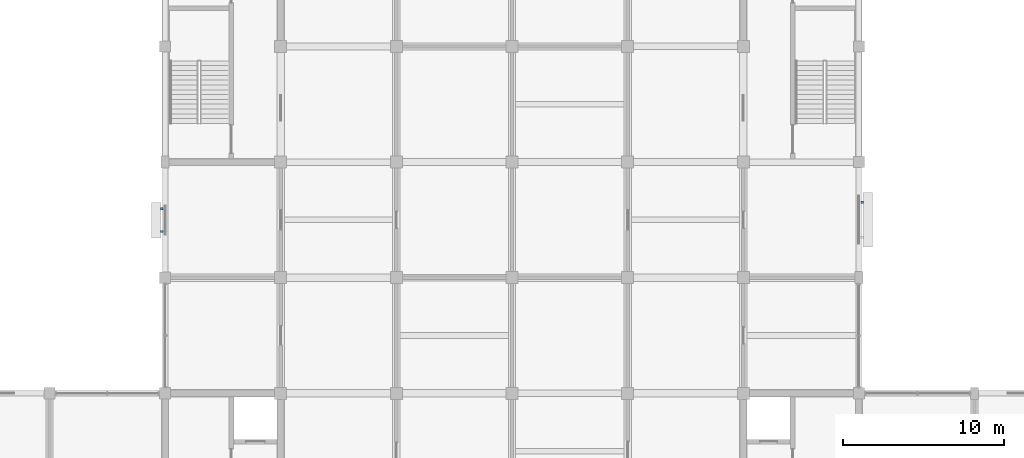
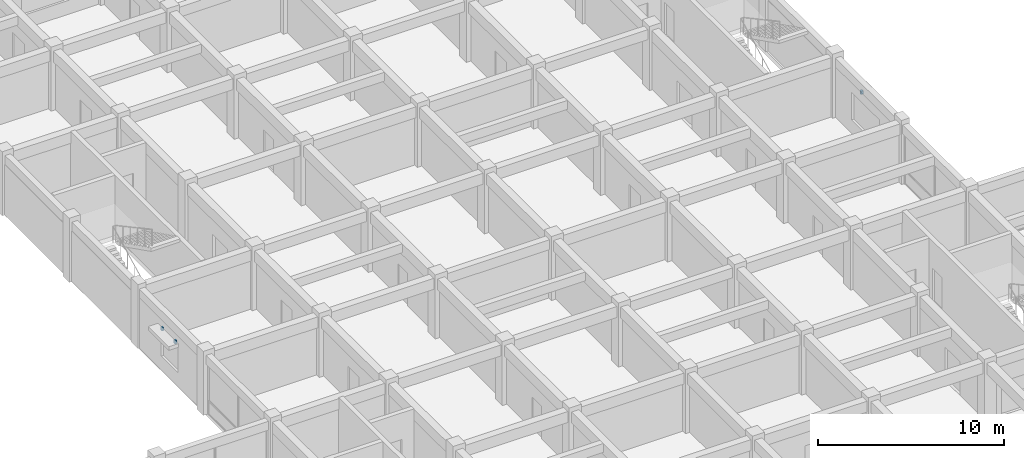
# One storey, part 28 of 31: 3 discrete accessories.
"""IFC4 building model written with IfcOpenShell, lengths in metres."""

import ifcopenshell
import ifcopenshell.guid

model = None  # the IFC model being written
_history = None  # IfcOwnerHistory: only IFC2X3 demands one
_inside = {}  # id of a spatial element -> (the spatial element, [elements in it])
_under = {}  # id of a project, library or spatial element -> (it, [spatial elements below it])
_declared = {}  # id of a project -> (the project, [libraries it declares])
_typed = {}  # id of a type object -> (the type object, [elements of that type])
_made_of = {}  # id of a material, layer set ... -> (it, [elements and type objects made of it])


def new_model(schema):
    """Start an empty IFC model of exactly this schema.

    Asked for "IFC4X3", IfcOpenShell would pick the latest addendum, in which some entities
    have other attributes; the version numbers below select the first issue.
    IFC2X3 requires an IfcOwnerHistory on every rooted entity: one is made here for all.
    """
    global model, _history
    if schema == "IFC4X3":
        model = ifcopenshell.file(schema_version=(4, 3, 0, 0))
    else:
        model = ifcopenshell.file(schema=schema)
    _inside.clear()
    _under.clear()
    _declared.clear()
    _typed.clear()
    _made_of.clear()
    _history = None
    if model.schema == "IFC2X3":
        org = make("IfcOrganization", Name="unknown")
        user = make(
            "IfcPersonAndOrganization",
            ThePerson=make("IfcPerson", FamilyName="unknown"),
            TheOrganization=org,
        )
        app = make(
            "IfcApplication",
            ApplicationDeveloper=org,
            Version="unknown",
            ApplicationFullName="unknown",
            ApplicationIdentifier="unknown",
        )
        _history = make(
            "IfcOwnerHistory",
            OwningUser=user,
            OwningApplication=app,
            ChangeAction="ADDED",
            CreationDate=0,
        )
    return model


def make(cls, **values):
    """One entity of the class cls with the attributes given. An attribute that is None is left unset."""
    return model.create_entity(
        cls, **{name: value for name, value in values.items() if value is not None}
    )


def rooted(cls, **values):
    """An entity with a GlobalId (a new one), such as an element, a storey or a relation."""
    return make(cls, GlobalId=ifcopenshell.guid.new(), OwnerHistory=_history, **values)


def si_unit(unit_type, name, prefix=None):
    """IfcSIUnit, for example si_unit("LENGTHUNIT", "METRE", prefix="MILLI")."""
    return make("IfcSIUnit", UnitType=unit_type, Prefix=prefix, Name=name)


def assignment(units):
    """IfcUnitAssignment: the units of a project."""
    return None if units is None else make("IfcUnitAssignment", Units=units)


def point(xyz):
    """IfcCartesianPoint."""
    return None if xyz is None else make("IfcCartesianPoint", Coordinates=xyz)


def direction(xyz):
    """IfcDirection."""
    return None if xyz is None else make("IfcDirection", DirectionRatios=xyz)


def frame(location, z_axis=None, x_axis=None):
    """IfcAxis2Placement3D, a coordinate frame: its origin and axes. An axis left out is left unset."""
    return make(
        "IfcAxis2Placement3D",
        Location=point(location),
        Axis=direction(z_axis),
        RefDirection=direction(x_axis),
    )


def frame_2d(location, x_axis=None):
    """IfcAxis2Placement2D, a coordinate frame in the plane: its origin and x axis."""
    return make(
        "IfcAxis2Placement2D", Location=point(location), RefDirection=direction(x_axis)
    )


def origin():
    """The frame at (0, 0, 0) with its axes left unset."""
    return frame((0.0, 0.0, 0.0))


def origin_2d():
    """The frame at (0, 0) in the plane with its x axis left unset."""
    return frame_2d((0.0, 0.0))


def place(relative_to, where):
    """IfcLocalPlacement: puts the frame where relative to a parent placement (None: the world)."""
    return make(
        "IfcLocalPlacement", PlacementRelTo=relative_to, RelativePlacement=where
    )


def context(
    kind, dimensions, precision=None, world=None, true_north=None, identifier=None
):
    """IfcGeometricRepresentationContext, for example the 3D "Model" context."""
    return make(
        "IfcGeometricRepresentationContext",
        ContextIdentifier=identifier,
        ContextType=kind,
        CoordinateSpaceDimension=dimensions,
        Precision=precision,
        WorldCoordinateSystem=world,
        TrueNorth=true_north,
    )


def subcontext(parent, identifier, kind, view, scale=None):
    """IfcGeometricRepresentationSubContext, for example "Body" below "Model"."""
    return make(
        "IfcGeometricRepresentationSubContext",
        ContextIdentifier=identifier,
        ContextType=kind,
        ParentContext=parent,
        TargetScale=scale,
        TargetView=view,
    )


def project(units=None, contexts=None):
    """IfcProject with its units and contexts."""
    return rooted(
        "IfcProject",
        Name="project",
        RepresentationContexts=contexts,
        UnitsInContext=assignment(units),
    )


def spatial(cls, under=None, at=None, **own):
    """A site, building, storey or space (cls), placed at a placement, below another one or the project."""
    s = rooted(cls, ObjectPlacement=at, **own)
    if under is not None:
        _under.setdefault(under.id(), (under, []))[1].append(s)
    return s


def profile(cls, at=None, kind="AREA", **sizes):
    """A parametric profile (cls). Its sizes go by their IFC names, for example OverallWidth=200.0."""
    return make(cls, ProfileType=kind, Position=at, **sizes)


def rectangle(**sizes):
    """IfcRectangleProfileDef."""
    return profile("IfcRectangleProfileDef", **sizes)


def extrude(swept, where, along, depth):
    """IfcExtrudedAreaSolid: the profile swept, set in the frame where, extruded along a direction by depth."""
    return make(
        "IfcExtrudedAreaSolid",
        SweptArea=swept,
        Position=where,
        ExtrudedDirection=direction(along),
        Depth=depth,
    )


def shape(context_of_items, identifier, shape_type, items):
    """IfcShapeRepresentation: the items that make up one representation, for example the "Body"."""
    return make(
        "IfcShapeRepresentation",
        ContextOfItems=context_of_items,
        RepresentationIdentifier=identifier,
        RepresentationType=shape_type,
        Items=items,
    )


def material(Name=None, Category=None):
    """IfcMaterial."""
    return make("IfcMaterial", Name=Name, Category=Category)


def made_of(thing, what):
    """Note that an element or type object is made of a material, layer set ...; save() writes the relation."""
    if what is not None:
        _made_of.setdefault(what.id(), (what, []))[1].append(thing)
    return thing


def type_object(cls, material=None, **own):
    """A type object (cls), such as IfcWallType, which elements share."""
    return made_of(rooted(cls, **own), material)


def element(
    cls,
    number,
    at=None,
    inside=None,
    cuts=None,
    type_object=None,
    material=None,
    context=None,
    identifier="Body",
    shape_type=None,
    held_by="IfcProductDefinitionShape",
    body=None,
    shapes=None,
    **own,
):
    """One element of the class cls, such as IfcWall. Its Tag is "e" and its number.

    at: its placement. inside: the storey or other place that contains it. cuts: it is an
    opening in that element (IfcRelVoidsElement). A single representation is given by context,
    identifier, shape_type and body (its items); several are given by shapes. held_by: the class
    of the entity that holds the representations. save() writes the other relations.
    """
    e = rooted(cls, Tag="e%d" % number, ObjectPlacement=at, **own)
    if body is not None:
        shapes = [shape(context, identifier, shape_type, body)]
    if shapes is not None:
        e.Representation = make(held_by, Representations=shapes)
    if inside is not None:
        _inside.setdefault(inside.id(), (inside, []))[1].append(e)
    if cuts is not None:
        rooted(
            "IfcRelVoidsElement", RelatingBuildingElement=cuts, RelatedOpeningElement=e
        )
    if type_object is not None:
        _typed.setdefault(type_object.id(), (type_object, []))[1].append(e)
    return made_of(e, material)


def aggregate(whole, parts):
    """IfcRelAggregates: a whole, such as a stair, and the parts it consists of."""
    return rooted("IfcRelAggregates", RelatingObject=whole, RelatedObjects=parts)


def save(model, path):
    """Write the relations noted so far, then the file.

    IfcRelAggregates (storeys below a building ...), IfcRelContainedInSpatialStructure (elements
    in a storey), IfcRelDefinesByType, IfcRelAssociatesMaterial and IfcRelDeclares: one each for
    every whole, place, type object, material and project.
    """
    for whole, parts in _under.values():
        aggregate(whole, parts)
    for where, things in _inside.values():
        rooted(
            "IfcRelContainedInSpatialStructure",
            RelatedElements=things,
            RelatingStructure=where,
        )
    for kind, things in _typed.values():
        rooted("IfcRelDefinesByType", RelatedObjects=things, RelatingType=kind)
    for what, things in _made_of.values():
        rooted("IfcRelAssociatesMaterial", RelatedObjects=things, RelatingMaterial=what)
    for by, libraries in _declared.values():
        rooted("IfcRelDeclares", RelatingContext=by, RelatedDefinitions=libraries)
    model.write(path)


model = new_model("IFC4")

# Units and contexts
model_context = context("Model", 3, precision=1e-05, world=origin(), true_north=direction((0.0, 1.0)))
body_context = subcontext(model_context, "Body", "Model", "MODEL_VIEW")
ifc_project = project(units=[si_unit("LENGTHUNIT", "METRE"), si_unit("AREAUNIT", "SQUARE_METRE"), si_unit("VOLUMEUNIT", "CUBIC_METRE"), si_unit("PLANEANGLEUNIT", "RADIAN"), si_unit("MASSUNIT", "GRAM", prefix="KILO")], contexts=[model_context])

# Site, building, storey
site_placement = place(None, origin())
site = spatial("IfcSite", under=ifc_project, at=site_placement, CompositionType="ELEMENT")
building_placement = place(site_placement, origin())
building = spatial("IfcBuilding", under=site, at=building_placement, Name="Cendaluz Park School", CompositionType="ELEMENT")
storey_placement = place(building_placement, frame((0.0, 0.0, 14.39990234375)))
storey = spatial("IfcBuildingStorey", under=building, at=storey_placement, Name="L03", CompositionType="ELEMENT", Elevation=14.39990234375)

# Discrete accessories
ifc_material = material(Name="Steel S355", Category="steel")
discrete_accessory_type = type_object("IfcDiscreteAccessoryType", Name="BK-01", PredefinedType="BRACKET", material=ifc_material)
for number, where, z_axis, x_axis, name in (
    (1, (64.590087890625, 38.883544921875, 2.72998046875), (0.0, 0.0, 1.0), (0.0, 1.0, 0.0), "BK-L03-111"),
    (2, (64.590087890625, 40.29150390625, 2.72998046875), (0.0, 0.0, 1.0), (0.0, 1.0, 0.0), "BK-L03-112"),
    (3, (108.2099609375, 40.700439453125, 2.72998046875), (0.0, 0.0, 1.0), (0.0, 1.0, 0.0), "BK-L03-116"),
):
    element("IfcDiscreteAccessory", number, at=place(storey_placement, frame(where, z_axis=z_axis, x_axis=x_axis)), inside=storey, type_object=discrete_accessory_type, Name=name, PredefinedType="BRACKET", context=body_context, shape_type="SweptSolid", body=[
        extrude(rectangle(XDim=0.139892578125, YDim=0.139892578125, at=origin_2d()), origin(), (0.0, 0.0, 1.0), 0.219970703125),
    ])

save(model, "model.ifc")
